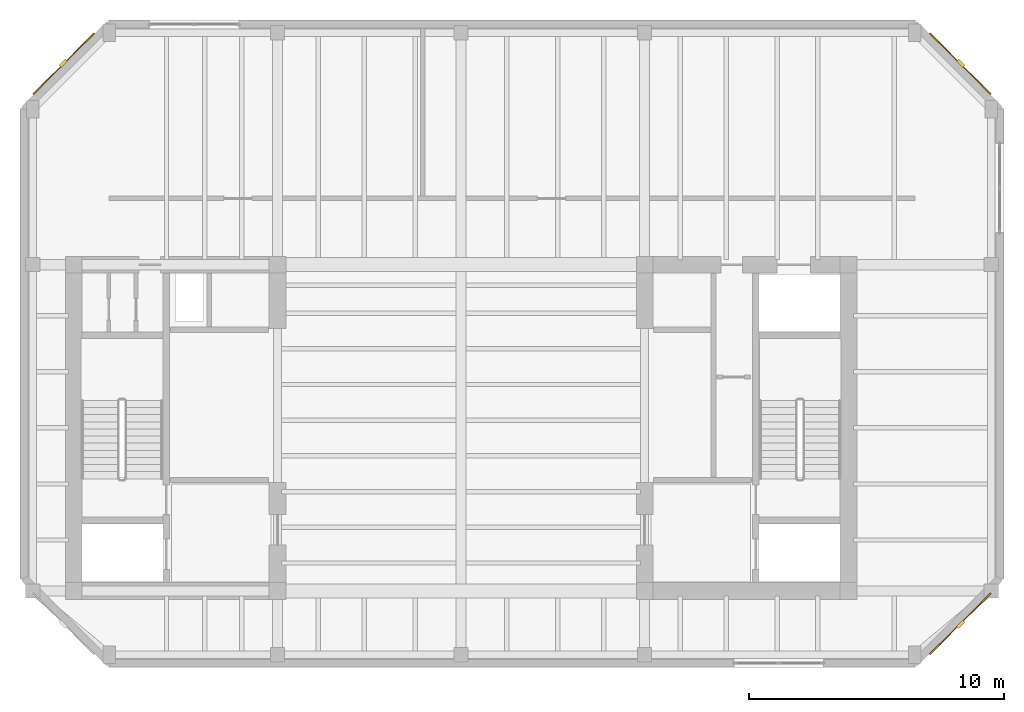
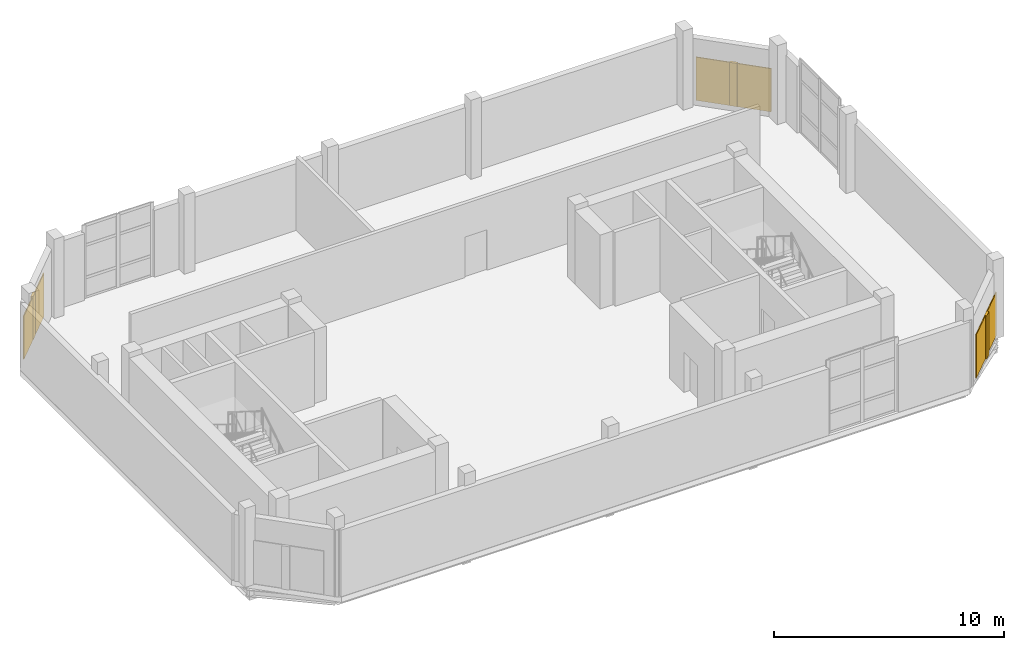
# One storey, part 8 of 8: 3 coverings, 3 shading devices.
"""IFC4 building model written with IfcOpenShell, lengths in metres."""

from ifc_helpers import new_model, si_unit, direction, frame, origin, origin_2d, place, context, subcontext, project, spatial, rectangle, extrude, material, layer, layer_set, type_object, element, save


model = new_model("IFC4")

# Units and contexts
model_context = context("Model", 3, precision=1e-05, world=origin(), true_north=direction((0.0, 1.0)))
body_context = subcontext(model_context, "Body", "Model", "MODEL_VIEW")
ifc_project = project(units=[si_unit("LENGTHUNIT", "METRE"), si_unit("AREAUNIT", "SQUARE_METRE"), si_unit("VOLUMEUNIT", "CUBIC_METRE"), si_unit("PLANEANGLEUNIT", "RADIAN"), si_unit("MASSUNIT", "GRAM", prefix="KILO")], contexts=[model_context])

# Site, building, storey
site_placement = place(None, origin())
site = spatial("IfcSite", under=ifc_project, at=site_placement, CompositionType="ELEMENT")
building_placement = place(site_placement, origin())
building = spatial("IfcBuilding", under=site, at=building_placement, Name="Kranthara Brick Stack", CompositionType="ELEMENT")
storey_placement = place(building_placement, frame((0.0, 0.0, 300.60009765625)))
storey = spatial("IfcBuildingStorey", under=building, at=storey_placement, Name="L79", CompositionType="ELEMENT", Elevation=300.60009765625)

# Coverings
ifc_material_1 = material(Name="Warm buff kiln-fired brick slip rainscreen", Category="masonry")
ifc_layer = layer(ifc_material_1, 0.044921875)
ifc_layer_set = layer_set([ifc_layer], Name="Warm buff kiln-fired brick slip rainscreen")
covering_type = type_object("IfcCoveringType", Name="COV-CLAD-BRICK", PredefinedType="CLADDING", material=ifc_layer_set)
for number, where, z_axis, x_axis, name in (
    (1, (12.414794921875, 41.485107421875, 0.0498046875), (0.0, 0.0, 1.0), (0.707106781187, 0.707106781187, 0.0), "L79 Chamfer Brick Rainscreen Cladding NW"),
    (2, (47.585205078125, 41.485107421875, 0.0498046875), (0.0, 0.0, 1.0), (0.707106781187, -0.707106781187, 0.0), "L79 Chamfer Brick Rainscreen Cladding NE"),
    (3, (47.585205078125, 19.514892578125, 0.0498046875), (0.0, 0.0, 1.0), (-0.707106781187, -0.707106781187, 0.0), "L79 Chamfer Brick Rainscreen Cladding SE"),
):
    element("IfcCovering", number, at=place(storey_placement, frame(where, z_axis=z_axis, x_axis=x_axis)), inside=storey, type_object=covering_type, Name=name, PredefinedType="CLADDING", context=body_context, shape_type="SweptSolid", body=[
        extrude(rectangle(XDim=3.39111328125, YDim=0.044921875, at=origin_2d()), origin(), (0.0, 0.0, 1.0), 2.300048828125),
    ])

# Shading devices
ifc_material_2 = material(Name="Kiln-fired terracotta aerodynamic wind fin", Category="masonry")
shading_device_type = type_object("IfcShadingDeviceType", Name="SHD-BAFFLE-CORNER", PredefinedType="SHUTTER", material=ifc_material_2)
for number, where, z_axis, x_axis, name in (
    (4, (12.3935546875, 41.50634765625, 0.0498046875), (0.0, 0.0, 1.0), (0.707106781187, 0.707106781187, 0.0), "L79 Chamfer Wind-Baffle Fin NW"),
    (5, (47.6064453125, 41.50634765625, 0.0498046875), (0.0, 0.0, 1.0), (0.707106781187, -0.707106781187, 0.0), "L79 Chamfer Wind-Baffle Fin NE"),
    (6, (47.6064453125, 19.49365234375, 0.0498046875), (0.0, 0.0, 1.0), (-0.707106781187, -0.707106781187, 0.0), "L79 Chamfer Wind-Baffle Fin SE"),
):
    element("IfcShadingDevice", number, at=place(storey_placement, frame(where, z_axis=z_axis, x_axis=x_axis)), inside=storey, type_object=shading_device_type, Name=name, PredefinedType="SHUTTER", context=body_context, shape_type="SweptSolid", body=[
        extrude(rectangle(XDim=0.35009765625, YDim=0.1201171875, at=origin_2d()), origin(), (0.0, 0.0, 1.0), 2.300048828125),
    ])

save(model, "model.ifc")
